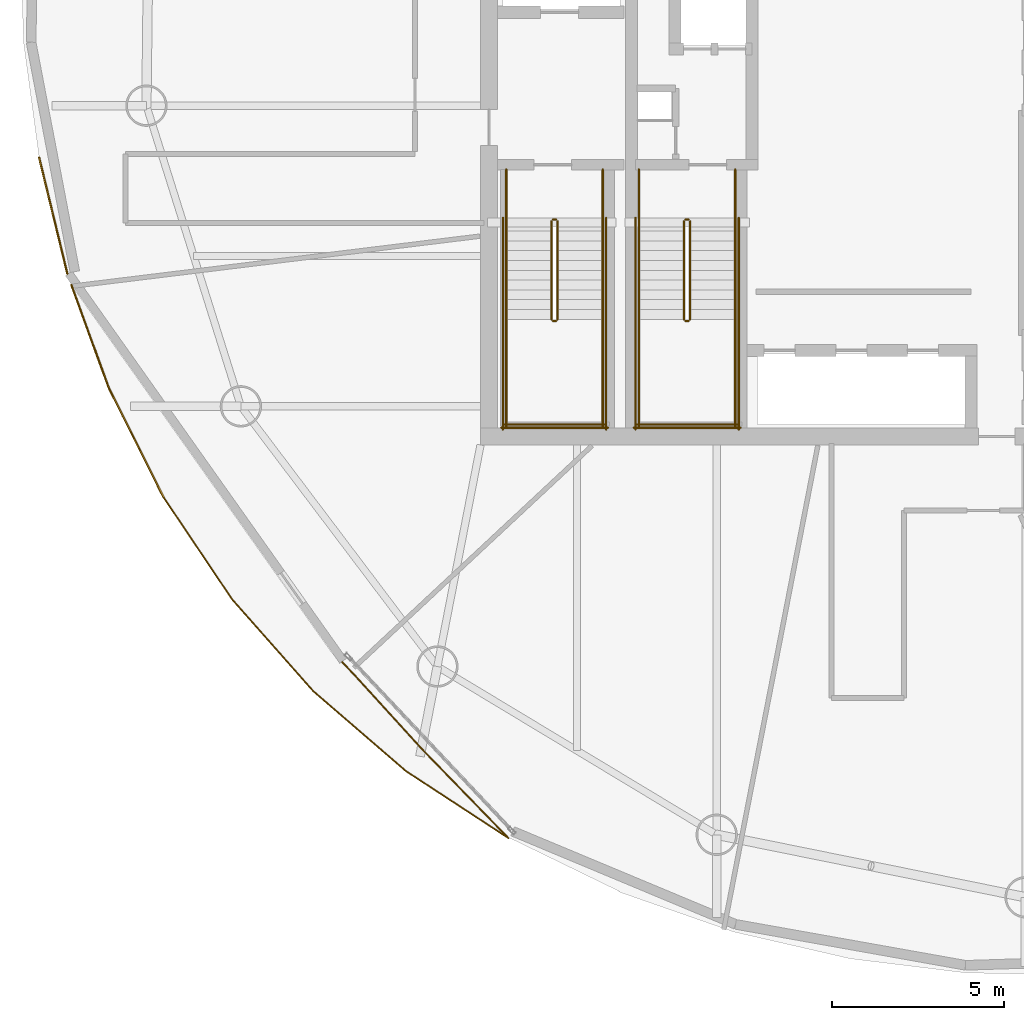
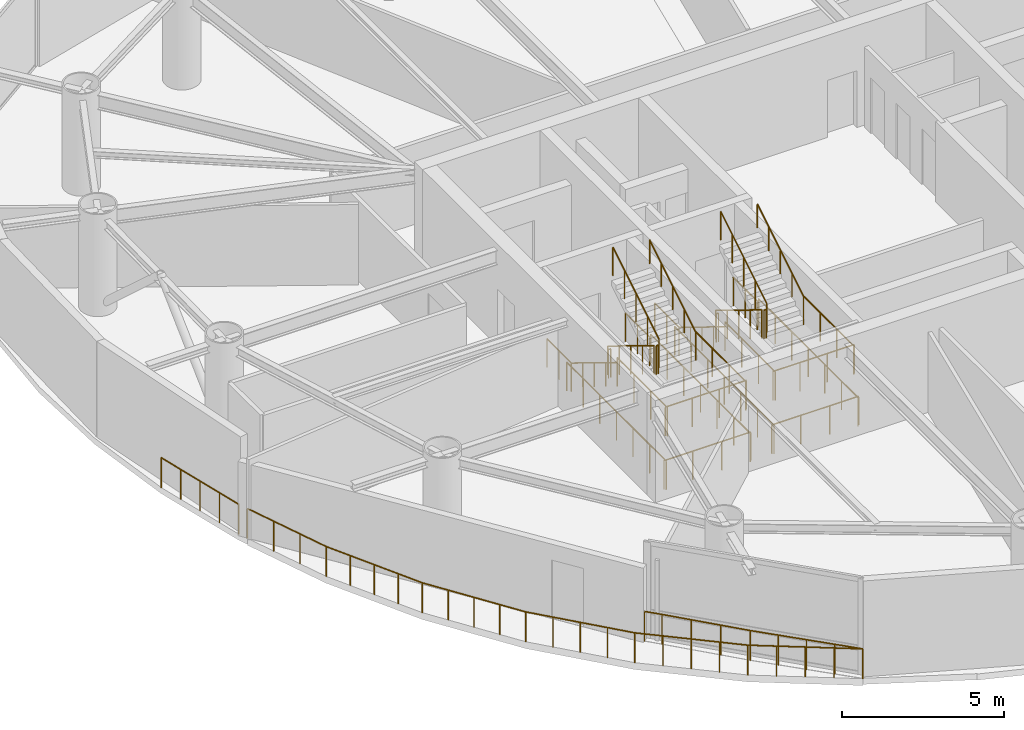
# One storey, part 14 of 16: 38 railings.
"""IFC4 building model written with IfcOpenShell, lengths in metres."""

from ifc_helpers import new_model, si_unit, direction, frame, origin, origin_2d, place, context, subcontext, project, spatial, circle, extrude, material, type_object, element, save


model = new_model("IFC4")

# Units and contexts
model_context = context("Model", 3, precision=1e-05, world=origin(), true_north=direction((0.0, 1.0)))
body_context = subcontext(model_context, "Body", "Model", "MODEL_VIEW")
ifc_project = project(units=[si_unit("LENGTHUNIT", "METRE"), si_unit("AREAUNIT", "SQUARE_METRE"), si_unit("VOLUMEUNIT", "CUBIC_METRE"), si_unit("PLANEANGLEUNIT", "RADIAN"), si_unit("MASSUNIT", "GRAM", prefix="KILO")], contexts=[model_context])

# Site, building, storey
site_placement = place(None, origin())
site = spatial("IfcSite", under=ifc_project, at=site_placement, CompositionType="ELEMENT")
building_placement = place(site_placement, origin())
building = spatial("IfcBuilding", under=site, at=building_placement, Name="Bramvorn Convention Spire", CompositionType="ELEMENT")
storey_placement = place(building_placement, frame((0.0, 0.0, 209.699951171875)))
storey = spatial("IfcBuildingStorey", under=building, at=storey_placement, Name="L53", CompositionType="ELEMENT", Elevation=209.699951171875)

# Railings
ifc_material_1 = material(Name="Painted Steel Balustrade & Guardrail", Category="steel")
railing_type_1 = type_object("IfcRailingType", Name="RL-STAIR-GUARD-1100", PredefinedType="GUARDRAIL", material=ifc_material_1)
railing_1_placement = place(storey_placement, frame((28.81005859375, 25.050048828125, 0.175048828125)))
element("IfcRailing", 1, at=railing_1_placement, inside=storey, type_object=railing_type_1, Name="L53 ST1 stair guard 1", PredefinedType="GUARDRAIL", context=body_context, shape_type="SweptSolid", body=[
    extrude(circle(Radius=0.02392578125, at=origin_2d()), frame((0.0, 0.0, 1.076171875), z_axis=(0.0, -0.852179220489, 0.52325001306), x_axis=(1.0, 0.0, 0.0)), (0.0, 0.0, 1.0), 3.344482421875),
    extrude(circle(Radius=0.02099609375, at=origin_2d()), origin(), (0.0, 0.0, 1.0), 1.052001953125),
    extrude(circle(Radius=0.02099609375, at=origin_2d()), frame((0.0, -0.71240234375, 0.4375)), (0.0, 0.0, 1.0), 1.052001953125),
    extrude(circle(Radius=0.02099609375, at=origin_2d()), frame((0.0, -1.425048828125, 0.875)), (0.0, 0.0, 1.0), 1.052001953125),
    extrude(circle(Radius=0.02099609375, at=origin_2d()), frame((0.0, -2.1376953125, 1.3125)), (0.0, 0.0, 1.0), 1.052001953125),
    extrude(circle(Radius=0.02099609375, at=origin_2d()), frame((0.0, -2.85009765625, 1.75)), (0.0, 0.0, 1.0), 1.052001953125),
])
railing_2_placement = place(storey_placement, frame((28.860107421875, 22.14990234375, 1.925048828125)))
element("IfcRailing", 2, at=railing_2_placement, inside=storey, type_object=railing_type_1, Name="L53 ST1 stair guard 2", PredefinedType="GUARDRAIL", context=body_context, shape_type="SweptSolid", body=[
    extrude(circle(Radius=0.02392578125, at=origin_2d()), frame((0.0, 0.0, 1.076171875), z_axis=(1.0, 0.0, 0.0), x_axis=(0.0, 1.0, 0.0)), (0.0, 0.0, 1.0), 0.079833984375),
    extrude(circle(Radius=0.02099609375, at=origin_2d()), origin(), (0.0, 0.0, 1.0), 1.052001953125),
    extrude(circle(Radius=0.02099609375, at=origin_2d()), frame((0.079833984375, 0.0, 0.0)), (0.0, 0.0, 1.0), 1.052001953125),
])
for number, where, name in (
    (3, (27.5, 22.199951171875, 1.925048828125), "L53 ST1 stair guard 3"),
    (4, (30.300048828125, 22.199951171875, 1.925048828125), "L53 ST1 stair guard 4"),
):
    element("IfcRailing", number, at=place(storey_placement, frame(where)), inside=storey, type_object=railing_type_1, Name=name, PredefinedType="GUARDRAIL", context=body_context, shape_type="SweptSolid", body=[
        extrude(circle(Radius=0.02392578125, at=origin_2d()), frame((0.0, 0.0, 1.076171875), z_axis=(0.0, -1.0, 0.0), x_axis=(1.0, 0.0, 0.0)), (0.0, 0.0, 1.0), 3.099853515625),
        extrude(circle(Radius=0.02099609375, at=origin_2d()), origin(), (0.0, 0.0, 1.0), 1.052001953125),
        extrude(circle(Radius=0.02099609375, at=origin_2d()), frame((0.0, -1.033203125, 0.0)), (0.0, 0.0, 1.0), 1.052001953125),
        extrude(circle(Radius=0.02099609375, at=origin_2d()), frame((0.0, -2.066650390625, 0.0)), (0.0, 0.0, 1.0), 1.052001953125),
        extrude(circle(Radius=0.02099609375, at=origin_2d()), frame((0.0, -3.099853515625, 0.0)), (0.0, 0.0, 1.0), 1.052001953125),
    ])
railing_3_placement = place(storey_placement, frame((27.449951171875, 19.14990234375, 1.925048828125)))
element("IfcRailing", 5, at=railing_3_placement, inside=storey, type_object=railing_type_1, Name="L53 ST1 stair guard 5", PredefinedType="GUARDRAIL", context=body_context, shape_type="SweptSolid", body=[
    extrude(circle(Radius=0.02392578125, at=origin_2d()), frame((0.0, 0.0, 1.076171875), z_axis=(1.0, 0.0, 0.0), x_axis=(0.0, 1.0, 0.0)), (0.0, 0.0, 1.0), 2.900146484375),
    extrude(circle(Radius=0.02099609375, at=origin_2d()), origin(), (0.0, 0.0, 1.0), 1.052001953125),
    extrude(circle(Radius=0.02099609375, at=origin_2d()), frame((0.966796875, 0.0, 0.0)), (0.0, 0.0, 1.0), 1.052001953125),
    extrude(circle(Radius=0.02099609375, at=origin_2d()), frame((1.933349609375, 0.0, 0.0)), (0.0, 0.0, 1.0), 1.052001953125),
    extrude(circle(Radius=0.02099609375, at=origin_2d()), frame((2.900146484375, 0.0, 0.0)), (0.0, 0.0, 1.0), 1.052001953125),
])
railing_4_placement = place(storey_placement, frame((28.989990234375, 22.199951171875, 2.10009765625)))
element("IfcRailing", 6, at=railing_4_placement, inside=storey, type_object=railing_type_1, Name="L53 ST1 stair guard 6", PredefinedType="GUARDRAIL", context=body_context, shape_type="SweptSolid", body=[
    extrude(circle(Radius=0.02392578125, at=origin_2d()), frame((0.0, 0.0, 1.076171875), z_axis=(0.0, 0.852179220489, 0.52325001306), x_axis=(-1.0, 0.0, 0.0)), (0.0, 0.0, 1.0), 3.344482421875),
    extrude(circle(Radius=0.02099609375, at=origin_2d()), origin(), (0.0, 0.0, 1.0), 1.052001953125),
    extrude(circle(Radius=0.02099609375, at=origin_2d()), frame((0.0, 0.71240234375, 0.4375)), (0.0, 0.0, 1.0), 1.052001953125),
    extrude(circle(Radius=0.02099609375, at=origin_2d()), frame((0.0, 1.425048828125, 0.875)), (0.0, 0.0, 1.0), 1.052001953125),
    extrude(circle(Radius=0.02099609375, at=origin_2d()), frame((0.0, 2.1376953125, 1.3125)), (0.0, 0.0, 1.0), 1.052001953125),
    extrude(circle(Radius=0.02099609375, at=origin_2d()), frame((0.0, 2.85009765625, 1.75)), (0.0, 0.0, 1.0), 1.052001953125),
])
railing_5_placement = place(storey_placement, frame((28.860107421875, 25.10009765625, 0.0)))
element("IfcRailing", 7, at=railing_5_placement, inside=storey, type_object=railing_type_1, Name="L53 ST1 stair guard 7", PredefinedType="GUARDRAIL", context=body_context, shape_type="SweptSolid", body=[
    extrude(circle(Radius=0.02392578125, at=origin_2d()), frame((0.0, 0.0, 1.076171875), z_axis=(1.0, 0.0, 0.0), x_axis=(0.0, 1.0, 0.0)), (0.0, 0.0, 1.0), 0.079833984375),
    extrude(circle(Radius=0.02099609375, at=origin_2d()), origin(), (0.0, 0.0, 1.0), 1.052001953125),
    extrude(circle(Radius=0.02099609375, at=origin_2d()), frame((0.079833984375, 0.0, 0.0)), (0.0, 0.0, 1.0), 1.052001953125),
])
for number, where, name in (
    (8, (27.5, 26.550048828125, 0.0), "L53 ST1 stair guard 8"),
    (9, (30.300048828125, 26.550048828125, 0.0), "L53 ST1 stair guard 9"),
):
    element("IfcRailing", number, at=place(storey_placement, frame(where)), inside=storey, type_object=railing_type_1, Name=name, PredefinedType="GUARDRAIL", context=body_context, shape_type="SweptSolid", body=[
        extrude(circle(Radius=0.02392578125, at=origin_2d()), frame((0.0, 0.0, 1.076171875), z_axis=(0.0, -1.0, 0.0), x_axis=(1.0, 0.0, 0.0)), (0.0, 0.0, 1.0), 1.5),
        extrude(circle(Radius=0.02099609375, at=origin_2d()), origin(), (0.0, 0.0, 1.0), 1.052001953125),
        extrude(circle(Radius=0.02099609375, at=origin_2d()), frame((0.0, -0.75, 0.0)), (0.0, 0.0, 1.0), 1.052001953125),
        extrude(circle(Radius=0.02099609375, at=origin_2d()), frame((0.0, -1.5, 0.0)), (0.0, 0.0, 1.0), 1.052001953125),
    ])
for number, where, name in (
    (10, (27.39990234375, 25.14990234375, 0.0), "L53 ST1 stair guard 10"),
    (11, (30.39990234375, 25.14990234375, 0.0), "L53 ST1 stair guard 11"),
):
    element("IfcRailing", number, at=place(storey_placement, frame(where)), inside=storey, type_object=railing_type_1, Name=name, PredefinedType="GUARDRAIL", context=body_context, shape_type="SweptSolid", body=[
        extrude(circle(Radius=0.02392578125, at=origin_2d()), frame((0.0, 0.0, 1.076171875), z_axis=(0.0, -1.0, 0.0), x_axis=(1.0, 0.0, 0.0)), (0.0, 0.0, 1.0), 6.14990234375),
        extrude(circle(Radius=0.02099609375, at=origin_2d()), origin(), (0.0, 0.0, 1.0), 1.052001953125),
        extrude(circle(Radius=0.02099609375, at=origin_2d()), frame((0.0, -1.02490234375, 0.0)), (0.0, 0.0, 1.0), 1.052001953125),
        extrude(circle(Radius=0.02099609375, at=origin_2d()), frame((0.0, -2.050048828125, 0.0)), (0.0, 0.0, 1.0), 1.052001953125),
        extrude(circle(Radius=0.02099609375, at=origin_2d()), frame((0.0, -3.074951171875, 0.0)), (0.0, 0.0, 1.0), 1.052001953125),
        extrude(circle(Radius=0.02099609375, at=origin_2d()), frame((0.0, -4.099853515625, 0.0)), (0.0, 0.0, 1.0), 1.052001953125),
        extrude(circle(Radius=0.02099609375, at=origin_2d()), frame((0.0, -5.125, 0.0)), (0.0, 0.0, 1.0), 1.052001953125),
        extrude(circle(Radius=0.02099609375, at=origin_2d()), frame((0.0, -6.14990234375, 0.0)), (0.0, 0.0, 1.0), 1.052001953125),
    ])
railing_6_placement = place(storey_placement, frame((27.35009765625, 19.050048828125, 0.0)))
element("IfcRailing", 12, at=railing_6_placement, inside=storey, type_object=railing_type_1, Name="L53 ST1 stair guard 12", PredefinedType="GUARDRAIL", context=body_context, shape_type="SweptSolid", body=[
    extrude(circle(Radius=0.02392578125, at=origin_2d()), frame((0.0, 0.0, 1.076171875), z_axis=(1.0, 0.0, 0.0), x_axis=(0.0, 1.0, 0.0)), (0.0, 0.0, 1.0), 3.099853515625),
    extrude(circle(Radius=0.02099609375, at=origin_2d()), origin(), (0.0, 0.0, 1.0), 1.052001953125),
    extrude(circle(Radius=0.02099609375, at=origin_2d()), frame((1.033203125, 0.0, 0.0)), (0.0, 0.0, 1.0), 1.052001953125),
    extrude(circle(Radius=0.02099609375, at=origin_2d()), frame((2.066650390625, 0.0, 0.0)), (0.0, 0.0, 1.0), 1.052001953125),
    extrude(circle(Radius=0.02099609375, at=origin_2d()), frame((3.099853515625, 0.0, 0.0)), (0.0, 0.0, 1.0), 1.052001953125),
])
railing_7_placement = place(storey_placement, frame((32.659912109375, 25.050048828125, 0.175048828125)))
element("IfcRailing", 13, at=railing_7_placement, inside=storey, type_object=railing_type_1, Name="L53 ST3 stair guard 1", PredefinedType="GUARDRAIL", context=body_context, shape_type="SweptSolid", body=[
    extrude(circle(Radius=0.02392578125, at=origin_2d()), frame((0.0, 0.0, 1.076171875), z_axis=(0.0, -0.852179220489, 0.52325001306), x_axis=(1.0, 0.0, 0.0)), (0.0, 0.0, 1.0), 3.344482421875),
    extrude(circle(Radius=0.02099609375, at=origin_2d()), origin(), (0.0, 0.0, 1.0), 1.052001953125),
    extrude(circle(Radius=0.02099609375, at=origin_2d()), frame((0.0, -0.71240234375, 0.4375)), (0.0, 0.0, 1.0), 1.052001953125),
    extrude(circle(Radius=0.02099609375, at=origin_2d()), frame((0.0, -1.425048828125, 0.875)), (0.0, 0.0, 1.0), 1.052001953125),
    extrude(circle(Radius=0.02099609375, at=origin_2d()), frame((0.0, -2.1376953125, 1.3125)), (0.0, 0.0, 1.0), 1.052001953125),
    extrude(circle(Radius=0.02099609375, at=origin_2d()), frame((0.0, -2.85009765625, 1.75)), (0.0, 0.0, 1.0), 1.052001953125),
])
railing_8_placement = place(storey_placement, frame((32.7099609375, 22.14990234375, 1.925048828125)))
element("IfcRailing", 14, at=railing_8_placement, inside=storey, type_object=railing_type_1, Name="L53 ST3 stair guard 2", PredefinedType="GUARDRAIL", context=body_context, shape_type="SweptSolid", body=[
    extrude(circle(Radius=0.02392578125, at=origin_2d()), frame((0.0, 0.0, 1.076171875), z_axis=(1.0, 0.0, 0.0), x_axis=(0.0, 1.0, 0.0)), (0.0, 0.0, 1.0), 0.080078125),
    extrude(circle(Radius=0.02099609375, at=origin_2d()), origin(), (0.0, 0.0, 1.0), 1.052001953125),
    extrude(circle(Radius=0.02099609375, at=origin_2d()), frame((0.080078125, 0.0, 0.0)), (0.0, 0.0, 1.0), 1.052001953125),
])
for number, where, name in (
    (15, (31.35009765625, 22.199951171875, 1.925048828125), "L53 ST3 stair guard 3"),
    (16, (34.14990234375, 22.199951171875, 1.925048828125), "L53 ST3 stair guard 4"),
):
    element("IfcRailing", number, at=place(storey_placement, frame(where)), inside=storey, type_object=railing_type_1, Name=name, PredefinedType="GUARDRAIL", context=body_context, shape_type="SweptSolid", body=[
        extrude(circle(Radius=0.02392578125, at=origin_2d()), frame((0.0, 0.0, 1.076171875), z_axis=(0.0, -1.0, 0.0), x_axis=(1.0, 0.0, 0.0)), (0.0, 0.0, 1.0), 3.099853515625),
        extrude(circle(Radius=0.02099609375, at=origin_2d()), origin(), (0.0, 0.0, 1.0), 1.052001953125),
        extrude(circle(Radius=0.02099609375, at=origin_2d()), frame((0.0, -1.033203125, 0.0)), (0.0, 0.0, 1.0), 1.052001953125),
        extrude(circle(Radius=0.02099609375, at=origin_2d()), frame((0.0, -2.066650390625, 0.0)), (0.0, 0.0, 1.0), 1.052001953125),
        extrude(circle(Radius=0.02099609375, at=origin_2d()), frame((0.0, -3.099853515625, 0.0)), (0.0, 0.0, 1.0), 1.052001953125),
    ])
railing_9_placement = place(storey_placement, frame((31.300048828125, 19.14990234375, 1.925048828125)))
element("IfcRailing", 17, at=railing_9_placement, inside=storey, type_object=railing_type_1, Name="L53 ST3 stair guard 5", PredefinedType="GUARDRAIL", context=body_context, shape_type="SweptSolid", body=[
    extrude(circle(Radius=0.02392578125, at=origin_2d()), frame((0.0, 0.0, 1.076171875), z_axis=(1.0, 0.0, 0.0), x_axis=(0.0, 1.0, 0.0)), (0.0, 0.0, 1.0), 2.89990234375),
    extrude(circle(Radius=0.02099609375, at=origin_2d()), origin(), (0.0, 0.0, 1.0), 1.052001953125),
    extrude(circle(Radius=0.02099609375, at=origin_2d()), frame((0.966552734375, 0.0, 0.0)), (0.0, 0.0, 1.0), 1.052001953125),
    extrude(circle(Radius=0.02099609375, at=origin_2d()), frame((1.933349609375, 0.0, 0.0)), (0.0, 0.0, 1.0), 1.052001953125),
    extrude(circle(Radius=0.02099609375, at=origin_2d()), frame((2.89990234375, 0.0, 0.0)), (0.0, 0.0, 1.0), 1.052001953125),
])
railing_10_placement = place(storey_placement, frame((32.840087890625, 22.199951171875, 2.10009765625)))
element("IfcRailing", 18, at=railing_10_placement, inside=storey, type_object=railing_type_1, Name="L53 ST3 stair guard 6", PredefinedType="GUARDRAIL", context=body_context, shape_type="SweptSolid", body=[
    extrude(circle(Radius=0.02392578125, at=origin_2d()), frame((0.0, 0.0, 1.076171875), z_axis=(0.0, 0.852179220489, 0.52325001306), x_axis=(-1.0, 0.0, 0.0)), (0.0, 0.0, 1.0), 3.344482421875),
    extrude(circle(Radius=0.02099609375, at=origin_2d()), origin(), (0.0, 0.0, 1.0), 1.052001953125),
    extrude(circle(Radius=0.02099609375, at=origin_2d()), frame((0.0, 0.71240234375, 0.4375)), (0.0, 0.0, 1.0), 1.052001953125),
    extrude(circle(Radius=0.02099609375, at=origin_2d()), frame((0.0, 1.425048828125, 0.875)), (0.0, 0.0, 1.0), 1.052001953125),
    extrude(circle(Radius=0.02099609375, at=origin_2d()), frame((0.0, 2.1376953125, 1.3125)), (0.0, 0.0, 1.0), 1.052001953125),
    extrude(circle(Radius=0.02099609375, at=origin_2d()), frame((0.0, 2.85009765625, 1.75)), (0.0, 0.0, 1.0), 1.052001953125),
])
railing_11_placement = place(storey_placement, frame((32.7099609375, 25.10009765625, 0.0)))
element("IfcRailing", 19, at=railing_11_placement, inside=storey, type_object=railing_type_1, Name="L53 ST3 stair guard 7", PredefinedType="GUARDRAIL", context=body_context, shape_type="SweptSolid", body=[
    extrude(circle(Radius=0.02392578125, at=origin_2d()), frame((0.0, 0.0, 1.076171875), z_axis=(1.0, 0.0, 0.0), x_axis=(0.0, 1.0, 0.0)), (0.0, 0.0, 1.0), 0.080078125),
    extrude(circle(Radius=0.02099609375, at=origin_2d()), origin(), (0.0, 0.0, 1.0), 1.052001953125),
    extrude(circle(Radius=0.02099609375, at=origin_2d()), frame((0.080078125, 0.0, 0.0)), (0.0, 0.0, 1.0), 1.052001953125),
])
for number, where, name in (
    (20, (31.35009765625, 26.550048828125, 0.0), "L53 ST3 stair guard 8"),
    (21, (34.14990234375, 26.550048828125, 0.0), "L53 ST3 stair guard 9"),
):
    element("IfcRailing", number, at=place(storey_placement, frame(where)), inside=storey, type_object=railing_type_1, Name=name, PredefinedType="GUARDRAIL", context=body_context, shape_type="SweptSolid", body=[
        extrude(circle(Radius=0.02392578125, at=origin_2d()), frame((0.0, 0.0, 1.076171875), z_axis=(0.0, -1.0, 0.0), x_axis=(1.0, 0.0, 0.0)), (0.0, 0.0, 1.0), 1.5),
        extrude(circle(Radius=0.02099609375, at=origin_2d()), origin(), (0.0, 0.0, 1.0), 1.052001953125),
        extrude(circle(Radius=0.02099609375, at=origin_2d()), frame((0.0, -0.75, 0.0)), (0.0, 0.0, 1.0), 1.052001953125),
        extrude(circle(Radius=0.02099609375, at=origin_2d()), frame((0.0, -1.5, 0.0)), (0.0, 0.0, 1.0), 1.052001953125),
    ])
for number, where, name in (
    (22, (31.25, 25.14990234375, 0.0), "L53 ST3 stair guard 10"),
    (23, (34.25, 25.14990234375, 0.0), "L53 ST3 stair guard 11"),
):
    element("IfcRailing", number, at=place(storey_placement, frame(where)), inside=storey, type_object=railing_type_1, Name=name, PredefinedType="GUARDRAIL", context=body_context, shape_type="SweptSolid", body=[
        extrude(circle(Radius=0.02392578125, at=origin_2d()), frame((0.0, 0.0, 1.076171875), z_axis=(0.0, -1.0, 0.0), x_axis=(1.0, 0.0, 0.0)), (0.0, 0.0, 1.0), 6.14990234375),
        extrude(circle(Radius=0.02099609375, at=origin_2d()), origin(), (0.0, 0.0, 1.0), 1.052001953125),
        extrude(circle(Radius=0.02099609375, at=origin_2d()), frame((0.0, -1.02490234375, 0.0)), (0.0, 0.0, 1.0), 1.052001953125),
        extrude(circle(Radius=0.02099609375, at=origin_2d()), frame((0.0, -2.050048828125, 0.0)), (0.0, 0.0, 1.0), 1.052001953125),
        extrude(circle(Radius=0.02099609375, at=origin_2d()), frame((0.0, -3.074951171875, 0.0)), (0.0, 0.0, 1.0), 1.052001953125),
        extrude(circle(Radius=0.02099609375, at=origin_2d()), frame((0.0, -4.099853515625, 0.0)), (0.0, 0.0, 1.0), 1.052001953125),
        extrude(circle(Radius=0.02099609375, at=origin_2d()), frame((0.0, -5.125, 0.0)), (0.0, 0.0, 1.0), 1.052001953125),
        extrude(circle(Radius=0.02099609375, at=origin_2d()), frame((0.0, -6.14990234375, 0.0)), (0.0, 0.0, 1.0), 1.052001953125),
    ])
railing_12_placement = place(storey_placement, frame((31.199951171875, 19.050048828125, 0.0)))
element("IfcRailing", 24, at=railing_12_placement, inside=storey, type_object=railing_type_1, Name="L53 ST3 stair guard 12", PredefinedType="GUARDRAIL", context=body_context, shape_type="SweptSolid", body=[
    extrude(circle(Radius=0.02392578125, at=origin_2d()), frame((0.0, 0.0, 1.076171875), z_axis=(1.0, 0.0, 0.0), x_axis=(0.0, 1.0, 0.0)), (0.0, 0.0, 1.0), 3.10009765625),
    extrude(circle(Radius=0.02099609375, at=origin_2d()), origin(), (0.0, 0.0, 1.0), 1.052001953125),
    extrude(circle(Radius=0.02099609375, at=origin_2d()), frame((1.033447265625, 0.0, 0.0)), (0.0, 0.0, 1.0), 1.052001953125),
    extrude(circle(Radius=0.02099609375, at=origin_2d()), frame((2.066650390625, 0.0, 0.0)), (0.0, 0.0, 1.0), 1.052001953125),
    extrude(circle(Radius=0.02099609375, at=origin_2d()), frame((3.10009765625, 0.0, 0.0)), (0.0, 0.0, 1.0), 1.052001953125),
])
ifc_material_2 = material(Name="Brushed Bronze Tubular Handrail", Category="aluminium")
railing_type_2 = type_object("IfcRailingType", Name="RL-STAIR-HR-920", PredefinedType="HANDRAIL", material=ifc_material_2)
railing_13_placement = place(storey_placement, frame((27.5, 25.050048828125, 0.175048828125)))
element("IfcRailing", 25, at=railing_13_placement, inside=storey, type_object=railing_type_2, Name="L53 ST1 stair handrail 1", PredefinedType="HANDRAIL", context=body_context, shape_type="SweptSolid", body=[
    extrude(circle(Radius=0.02392578125, at=origin_2d()), frame((0.0, 0.0, 0.89599609375), z_axis=(0.0, -0.852179220489, 0.52325001306), x_axis=(1.0, 0.0, 0.0)), (0.0, 0.0, 1.0), 3.344482421875),
    extrude(circle(Radius=0.02099609375, at=origin_2d()), origin(), (0.0, 0.0, 1.0), 0.871826171875),
    extrude(circle(Radius=0.02099609375, at=origin_2d()), frame((0.0, -0.71240234375, 0.4375)), (0.0, 0.0, 1.0), 0.871826171875),
    extrude(circle(Radius=0.02099609375, at=origin_2d()), frame((0.0, -1.425048828125, 0.875)), (0.0, 0.0, 1.0), 0.871826171875),
    extrude(circle(Radius=0.02099609375, at=origin_2d()), frame((0.0, -2.1376953125, 1.3125)), (0.0, 0.0, 1.0), 0.871826171875),
    extrude(circle(Radius=0.02099609375, at=origin_2d()), frame((0.0, -2.85009765625, 1.75)), (0.0, 0.0, 1.0), 0.871826171875),
])
railing_14_placement = place(storey_placement, frame((30.300048828125, 22.199951171875, 2.10009765625)))
element("IfcRailing", 26, at=railing_14_placement, inside=storey, type_object=railing_type_2, Name="L53 ST1 stair handrail 2", PredefinedType="HANDRAIL", context=body_context, shape_type="SweptSolid", body=[
    extrude(circle(Radius=0.02392578125, at=origin_2d()), frame((0.0, 0.0, 0.89599609375), z_axis=(0.0, 0.852179220489, 0.52325001306), x_axis=(-1.0, 0.0, 0.0)), (0.0, 0.0, 1.0), 3.344482421875),
    extrude(circle(Radius=0.02099609375, at=origin_2d()), origin(), (0.0, 0.0, 1.0), 0.871826171875),
    extrude(circle(Radius=0.02099609375, at=origin_2d()), frame((0.0, 0.71240234375, 0.4375)), (0.0, 0.0, 1.0), 0.871826171875),
    extrude(circle(Radius=0.02099609375, at=origin_2d()), frame((0.0, 1.425048828125, 0.875)), (0.0, 0.0, 1.0), 0.871826171875),
    extrude(circle(Radius=0.02099609375, at=origin_2d()), frame((0.0, 2.1376953125, 1.3125)), (0.0, 0.0, 1.0), 0.871826171875),
    extrude(circle(Radius=0.02099609375, at=origin_2d()), frame((0.0, 2.85009765625, 1.75)), (0.0, 0.0, 1.0), 0.871826171875),
])
railing_15_placement = place(storey_placement, frame((31.35009765625, 25.050048828125, 0.175048828125)))
element("IfcRailing", 27, at=railing_15_placement, inside=storey, type_object=railing_type_2, Name="L53 ST3 stair handrail 1", PredefinedType="HANDRAIL", context=body_context, shape_type="SweptSolid", body=[
    extrude(circle(Radius=0.02392578125, at=origin_2d()), frame((0.0, 0.0, 0.89599609375), z_axis=(0.0, -0.852179220489, 0.52325001306), x_axis=(1.0, 0.0, 0.0)), (0.0, 0.0, 1.0), 3.344482421875),
    extrude(circle(Radius=0.02099609375, at=origin_2d()), origin(), (0.0, 0.0, 1.0), 0.871826171875),
    extrude(circle(Radius=0.02099609375, at=origin_2d()), frame((0.0, -0.71240234375, 0.4375)), (0.0, 0.0, 1.0), 0.871826171875),
    extrude(circle(Radius=0.02099609375, at=origin_2d()), frame((0.0, -1.425048828125, 0.875)), (0.0, 0.0, 1.0), 0.871826171875),
    extrude(circle(Radius=0.02099609375, at=origin_2d()), frame((0.0, -2.1376953125, 1.3125)), (0.0, 0.0, 1.0), 0.871826171875),
    extrude(circle(Radius=0.02099609375, at=origin_2d()), frame((0.0, -2.85009765625, 1.75)), (0.0, 0.0, 1.0), 0.871826171875),
])
railing_16_placement = place(storey_placement, frame((34.14990234375, 22.199951171875, 2.10009765625)))
element("IfcRailing", 28, at=railing_16_placement, inside=storey, type_object=railing_type_2, Name="L53 ST3 stair handrail 2", PredefinedType="HANDRAIL", context=body_context, shape_type="SweptSolid", body=[
    extrude(circle(Radius=0.02392578125, at=origin_2d()), frame((0.0, 0.0, 0.89599609375), z_axis=(0.0, 0.852179220489, 0.52325001306), x_axis=(-1.0, 0.0, 0.0)), (0.0, 0.0, 1.0), 3.344482421875),
    extrude(circle(Radius=0.02099609375, at=origin_2d()), origin(), (0.0, 0.0, 1.0), 0.871826171875),
    extrude(circle(Radius=0.02099609375, at=origin_2d()), frame((0.0, 0.71240234375, 0.4375)), (0.0, 0.0, 1.0), 0.871826171875),
    extrude(circle(Radius=0.02099609375, at=origin_2d()), frame((0.0, 1.425048828125, 0.875)), (0.0, 0.0, 1.0), 0.871826171875),
    extrude(circle(Radius=0.02099609375, at=origin_2d()), frame((0.0, 2.1376953125, 1.3125)), (0.0, 0.0, 1.0), 0.871826171875),
    extrude(circle(Radius=0.02099609375, at=origin_2d()), frame((0.0, 2.85009765625, 1.75)), (0.0, 0.0, 1.0), 0.871826171875),
])
ifc_material_3 = material(Name="Bronze Cap-Rail & Laminated Structural Glass Balustrade", Category="glass")
railing_type_3 = type_object("IfcRailingType", Name="RL-TERR-GUARD-1150", PredefinedType="GUARDRAIL", material=ifc_material_3)
railing_17_placement = place(storey_placement, frame((24.5849609375, 9.07568359375, 0.0)))
element("IfcRailing", 29, at=railing_17_placement, inside=storey, type_object=railing_type_3, Name="L53 Sky Garden perimeter safety guardrail 1", PredefinedType="GUARDRAIL", context=body_context, shape_type="SweptSolid", body=[
    extrude(circle(Radius=0.02392578125, at=origin_2d()), frame((0.0, 0.0, 1.1259765625), z_axis=(0.836881423003, -0.547384219568, 0.0), x_axis=(0.547384219568, 0.836881423003, 0.0)), (0.0, 0.0, 1.0), 3.560546875),
    extrude(circle(Radius=0.02099609375, at=origin_2d()), origin(), (0.0, 0.0, 1.0), 1.101806640625),
    extrude(circle(Radius=0.02099609375, at=origin_2d()), frame((0.744873046875, -0.4873046875, 0.0)), (0.0, 0.0, 1.0), 1.101806640625),
    extrude(circle(Radius=0.02099609375, at=origin_2d()), frame((1.48974609375, -0.974609375, 0.0)), (0.0, 0.0, 1.0), 1.101806640625),
    extrude(circle(Radius=0.02099609375, at=origin_2d()), frame((2.23486328125, -1.461669921875, 0.0)), (0.0, 0.0, 1.0), 1.101806640625),
    extrude(circle(Radius=0.02099609375, at=origin_2d()), frame((2.979736328125, -1.948974609375, 0.0)), (0.0, 0.0, 1.0), 1.101806640625),
])
railing_18_placement = place(storey_placement, frame((27.564697265625, 7.126708984375, 0.0)))
element("IfcRailing", 30, at=railing_18_placement, inside=storey, type_object=railing_type_3, Name="L53 Sky Garden perimeter safety guardrail 2", PredefinedType="GUARDRAIL", context=body_context, shape_type="SweptSolid", body=[
    extrude(circle(Radius=0.02392578125, at=origin_2d()), frame((0.0, 0.0, 1.1259765625), z_axis=(-0.696671590419, 0.717390197245, 0.0), x_axis=(-0.717390197245, -0.696671590419, 0.0)), (0.0, 0.0, 1.0), 3.61767578125),
    extrude(circle(Radius=0.02099609375, at=origin_2d()), origin(), (0.0, 0.0, 1.0), 1.101806640625),
    extrude(circle(Radius=0.02099609375, at=origin_2d()), frame((-0.630126953125, 0.64892578125, 0.0)), (0.0, 0.0, 1.0), 1.101806640625),
    extrude(circle(Radius=0.02099609375, at=origin_2d()), frame((-1.26025390625, 1.297607421875, 0.0)), (0.0, 0.0, 1.0), 1.101806640625),
    extrude(circle(Radius=0.02099609375, at=origin_2d()), frame((-1.89013671875, 1.9462890625, 0.0)), (0.0, 0.0, 1.0), 1.101806640625),
    extrude(circle(Radius=0.02099609375, at=origin_2d()), frame((-2.520263671875, 2.59521484375, 0.0)), (0.0, 0.0, 1.0), 1.101806640625),
])
railing_19_placement = place(storey_placement, frame((25.04443359375, 9.721923828125, 0.0)))
element("IfcRailing", 31, at=railing_19_placement, inside=storey, type_object=railing_type_3, Name="L53 Sky Garden perimeter safety guardrail 3", PredefinedType="GUARDRAIL", context=body_context, shape_type="SweptSolid", body=[
    extrude(circle(Radius=0.02392578125, at=origin_2d()), frame((0.0, 0.0, 1.1259765625), z_axis=(-0.673393733539, 0.73928403177, 0.0), x_axis=(-0.73928403177, -0.673393733539, 0.0)), (0.0, 0.0, 1.0), 2.8642578125),
    extrude(circle(Radius=0.02099609375, at=origin_2d()), origin(), (0.0, 0.0, 1.0), 1.101806640625),
    extrude(circle(Radius=0.02099609375, at=origin_2d()), frame((-0.642822265625, 0.705810546875, 0.0)), (0.0, 0.0, 1.0), 1.101806640625),
    extrude(circle(Radius=0.02099609375, at=origin_2d()), frame((-1.285888671875, 1.41162109375, 0.0)), (0.0, 0.0, 1.0), 1.101806640625),
    extrude(circle(Radius=0.02099609375, at=origin_2d()), frame((-1.9287109375, 2.117431640625, 0.0)), (0.0, 0.0, 1.0), 1.101806640625),
])
railing_20_placement = place(storey_placement, frame((23.11572265625, 11.83935546875, 0.0)))
element("IfcRailing", 32, at=railing_20_placement, inside=storey, type_object=railing_type_3, Name="L53 Sky Garden perimeter safety guardrail 4", PredefinedType="GUARDRAIL", context=body_context, shape_type="SweptSolid", body=[
    extrude(circle(Radius=0.02392578125, at=origin_2d()), frame((0.0, 0.0, 1.1259765625), z_axis=(-0.686661719492, 0.726977085598, 0.0), x_axis=(-0.726977085598, -0.686661719492, 0.0)), (0.0, 0.0, 1.0), 0.563232421875),
    extrude(circle(Radius=0.02099609375, at=origin_2d()), origin(), (0.0, 0.0, 1.0), 1.101806640625),
    extrude(circle(Radius=0.02099609375, at=origin_2d()), frame((-0.38671875, 0.409423828125, 0.0)), (0.0, 0.0, 1.0), 1.101806640625),
])
railing_21_placement = place(storey_placement, frame((14.865478515625, 23.199462890625, 0.0)))
element("IfcRailing", 33, at=railing_21_placement, inside=storey, type_object=railing_type_3, Name="L53 Sky Garden perimeter safety guardrail 5", PredefinedType="GUARDRAIL", context=body_context, shape_type="SweptSolid", body=[
    extrude(circle(Radius=0.02392578125, at=origin_2d()), frame((0.0, 0.0, 1.1259765625), z_axis=(0.340710542917, -0.940168243425, 0.0), x_axis=(0.940168243425, 0.340710542917, 0.0)), (0.0, 0.0, 1.0), 3.190185546875),
    extrude(circle(Radius=0.02099609375, at=origin_2d()), origin(), (0.0, 0.0, 1.0), 1.101806640625),
    extrude(circle(Radius=0.02099609375, at=origin_2d()), frame((0.3623046875, -0.999755859375, 0.0)), (0.0, 0.0, 1.0), 1.101806640625),
    extrude(circle(Radius=0.02099609375, at=origin_2d()), frame((0.724609375, -1.99951171875, 0.0)), (0.0, 0.0, 1.0), 1.101806640625),
    extrude(circle(Radius=0.02099609375, at=origin_2d()), frame((1.0869140625, -2.999267578125, 0.0)), (0.0, 0.0, 1.0), 1.101806640625),
])
railing_22_placement = place(storey_placement, frame((15.952392578125, 20.2001953125, 0.0)))
element("IfcRailing", 34, at=railing_22_placement, inside=storey, type_object=railing_type_3, Name="L53 Sky Garden perimeter safety guardrail 6", PredefinedType="GUARDRAIL", context=body_context, shape_type="SweptSolid", body=[
    extrude(circle(Radius=0.02392578125, at=origin_2d()), frame((0.0, 0.0, 1.1259765625), z_axis=(0.448723116934, -0.893670836678, 0.0), x_axis=(0.893670836678, 0.448723116934, 0.0)), (0.0, 0.0, 1.0), 3.556640625),
    extrude(circle(Radius=0.02099609375, at=origin_2d()), origin(), (0.0, 0.0, 1.0), 1.101806640625),
    extrude(circle(Radius=0.02099609375, at=origin_2d()), frame((0.39892578125, -0.794677734375, 0.0)), (0.0, 0.0, 1.0), 1.101806640625),
    extrude(circle(Radius=0.02099609375, at=origin_2d()), frame((0.7978515625, -1.58935546875, 0.0)), (0.0, 0.0, 1.0), 1.101806640625),
    extrude(circle(Radius=0.02099609375, at=origin_2d()), frame((1.197021484375, -2.3837890625, 0.0)), (0.0, 0.0, 1.0), 1.101806640625),
    extrude(circle(Radius=0.02099609375, at=origin_2d()), frame((1.595947265625, -3.178466796875, 0.0)), (0.0, 0.0, 1.0), 1.101806640625),
])
railing_23_placement = place(storey_placement, frame((17.54833984375, 17.021728515625, 0.0)))
element("IfcRailing", 35, at=railing_23_placement, inside=storey, type_object=railing_type_3, Name="L53 Sky Garden perimeter safety guardrail 7", PredefinedType="GUARDRAIL", context=body_context, shape_type="SweptSolid", body=[
    extrude(circle(Radius=0.02392578125, at=origin_2d()), frame((0.0, 0.0, 1.1259765625), z_axis=(0.557529383231, -0.830157206097, 0.0), x_axis=(0.830157206097, 0.557529383231, 0.0)), (0.0, 0.0, 1.0), 3.560546875),
    extrude(circle(Radius=0.02099609375, at=origin_2d()), origin(), (0.0, 0.0, 1.0), 1.101806640625),
    extrude(circle(Radius=0.02099609375, at=origin_2d()), frame((0.496337890625, -0.739013671875, 0.0)), (0.0, 0.0, 1.0), 1.101806640625),
    extrude(circle(Radius=0.02099609375, at=origin_2d()), frame((0.99267578125, -1.47802734375, 0.0)), (0.0, 0.0, 1.0), 1.101806640625),
    extrude(circle(Radius=0.02099609375, at=origin_2d()), frame((1.48876953125, -2.216796875, 0.0)), (0.0, 0.0, 1.0), 1.101806640625),
    extrude(circle(Radius=0.02099609375, at=origin_2d()), frame((1.985107421875, -2.955810546875, 0.0)), (0.0, 0.0, 1.0), 1.101806640625),
])
railing_24_placement = place(storey_placement, frame((19.533447265625, 14.06591796875, 0.0)))
element("IfcRailing", 36, at=railing_24_placement, inside=storey, type_object=railing_type_3, Name="L53 Sky Garden perimeter safety guardrail 8", PredefinedType="GUARDRAIL", context=body_context, shape_type="SweptSolid", body=[
    extrude(circle(Radius=0.02392578125, at=origin_2d()), frame((0.0, 0.0, 1.1259765625), z_axis=(0.662342917442, -0.749200814011, 0.0), x_axis=(0.749200814011, 0.662342917442, 0.0)), (0.0, 0.0, 1.0), 3.55859375),
    extrude(circle(Radius=0.02099609375, at=origin_2d()), origin(), (0.0, 0.0, 1.0), 1.101806640625),
    extrude(circle(Radius=0.02099609375, at=origin_2d()), frame((0.58935546875, -0.66650390625, 0.0)), (0.0, 0.0, 1.0), 1.101806640625),
    extrude(circle(Radius=0.02099609375, at=origin_2d()), frame((1.178466796875, -1.3330078125, 0.0)), (0.0, 0.0, 1.0), 1.101806640625),
    extrude(circle(Radius=0.02099609375, at=origin_2d()), frame((1.767578125, -1.99951171875, 0.0)), (0.0, 0.0, 1.0), 1.101806640625),
    extrude(circle(Radius=0.02099609375, at=origin_2d()), frame((2.35693359375, -2.666015625, 0.0)), (0.0, 0.0, 1.0), 1.101806640625),
])
railing_25_placement = place(storey_placement, frame((21.890380859375, 11.39990234375, 0.0)))
element("IfcRailing", 37, at=railing_25_placement, inside=storey, type_object=railing_type_3, Name="L53 Sky Garden perimeter safety guardrail 9", PredefinedType="GUARDRAIL", context=body_context, shape_type="SweptSolid", body=[
    extrude(circle(Radius=0.02392578125, at=origin_2d()), frame((0.0, 0.0, 1.1259765625), z_axis=(0.757228584002, -0.653149961013, 0.0), x_axis=(0.653149961013, 0.757228584002, 0.0)), (0.0, 0.0, 1.0), 3.55859375),
    extrude(circle(Radius=0.02099609375, at=origin_2d()), origin(), (0.0, 0.0, 1.0), 1.101806640625),
    extrude(circle(Radius=0.02099609375, at=origin_2d()), frame((0.673583984375, -0.5810546875, 0.0)), (0.0, 0.0, 1.0), 1.101806640625),
    extrude(circle(Radius=0.02099609375, at=origin_2d()), frame((1.34716796875, -1.162109375, 0.0)), (0.0, 0.0, 1.0), 1.101806640625),
    extrude(circle(Radius=0.02099609375, at=origin_2d()), frame((2.02099609375, -1.7431640625, 0.0)), (0.0, 0.0, 1.0), 1.101806640625),
    extrude(circle(Radius=0.02099609375, at=origin_2d()), frame((2.694580078125, -2.32421875, 0.0)), (0.0, 0.0, 1.0), 1.101806640625),
])
railing_26_placement = place(storey_placement, frame((14.74853515625, 23.522216796875, 0.0)))
element("IfcRailing", 38, at=railing_26_placement, inside=storey, type_object=railing_type_3, Name="L53 Sky Garden junction edge safety guardrail 10", PredefinedType="GUARDRAIL", context=body_context, shape_type="SweptSolid", body=[
    extrude(circle(Radius=0.02392578125, at=origin_2d()), frame((0.0, 0.0, 1.1259765625), z_axis=(-0.236086373319, 0.971732074356, 0.0), x_axis=(-0.971732074356, -0.236086373319, 0.0)), (0.0, 0.0, 1.0), 3.476806640625),
    extrude(circle(Radius=0.02099609375, at=origin_2d()), origin(), (0.0, 0.0, 1.0), 1.101806640625),
    extrude(circle(Radius=0.02099609375, at=origin_2d()), frame((-0.205078125, 0.8447265625, 0.0)), (0.0, 0.0, 1.0), 1.101806640625),
    extrude(circle(Radius=0.02099609375, at=origin_2d()), frame((-0.410400390625, 1.689208984375, 0.0)), (0.0, 0.0, 1.0), 1.101806640625),
    extrude(circle(Radius=0.02099609375, at=origin_2d()), frame((-0.61572265625, 2.53369140625, 0.0)), (0.0, 0.0, 1.0), 1.101806640625),
    extrude(circle(Radius=0.02099609375, at=origin_2d()), frame((-0.82080078125, 3.37841796875, 0.0)), (0.0, 0.0, 1.0), 1.101806640625),
])

save(model, "model.ifc")
